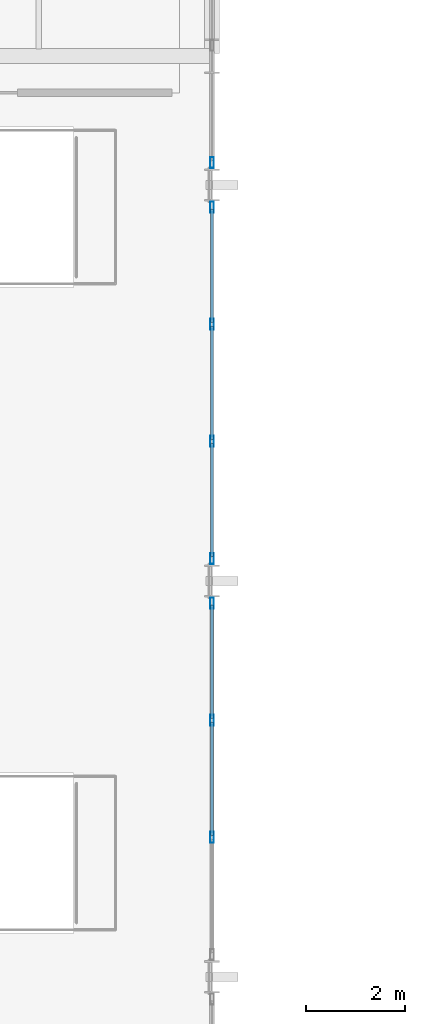
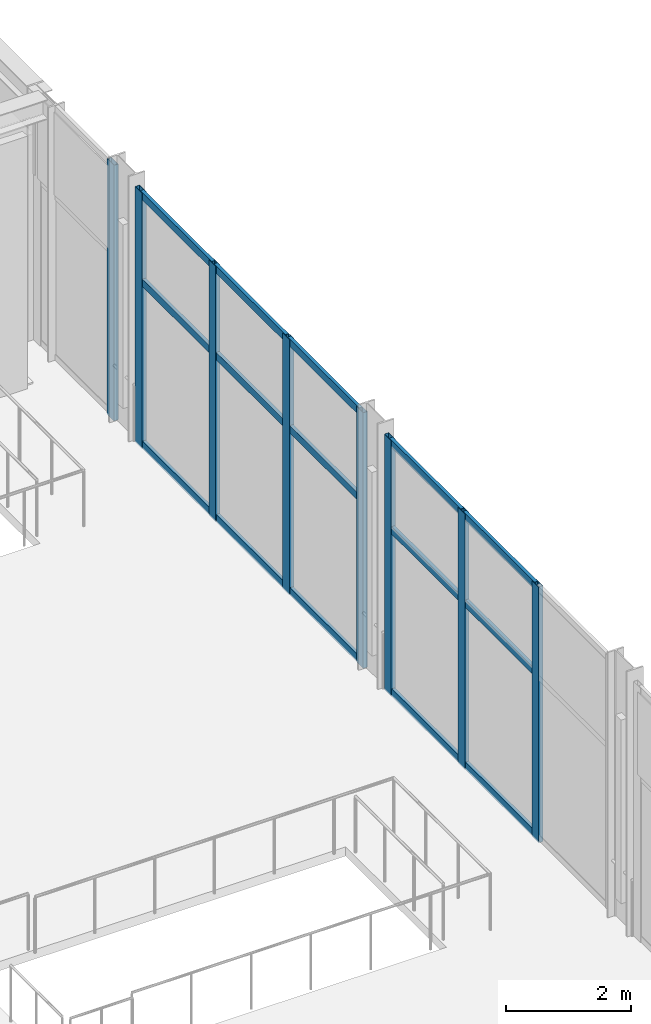
# One storey, part 79 of 195: 23 members, 3 elements without a shape of their own.
"""IFC4 building model written with IfcOpenShell, lengths in metres."""

from ifc_helpers import new_model, si_unit, direction, frame, origin, origin_2d, place, context, subcontext, project, spatial, hollow_rectangle, extrude, material, layer, layer_set, material_profile, profile_set, type_object, element, aggregate, save


model = new_model("IFC4")

# Units and contexts
model_context = context("Model", 3, precision=1e-05, world=origin(), true_north=direction((0.0, 1.0)))
body_context = subcontext(model_context, "Body", "Model", "MODEL_VIEW")
ifc_project = project(units=[si_unit("LENGTHUNIT", "METRE"), si_unit("AREAUNIT", "SQUARE_METRE"), si_unit("VOLUMEUNIT", "CUBIC_METRE"), si_unit("PLANEANGLEUNIT", "RADIAN"), si_unit("MASSUNIT", "GRAM", prefix="KILO")], contexts=[model_context])

# Site, building, storey
site_placement = place(None, origin())
site = spatial("IfcSite", under=ifc_project, at=site_placement, CompositionType="ELEMENT")
building_placement = place(site_placement, origin())
building = spatial("IfcBuilding", under=site, at=building_placement, Name="Marlcrest Central Station", CompositionType="ELEMENT")
storey_placement = place(building_placement, frame((0.0, 0.0, 9.800048828125)))
storey = spatial("IfcBuildingStorey", under=building, at=storey_placement, Name="L02", CompositionType="ELEMENT", Elevation=9.800048828125)

# Curtain wall, members
ifc_material_1 = material(Name="Anodised aluminium and hurricane laminated glass", Category="aluminium")
ifc_layer = layer(ifc_material_1, 0.219970703125, Name="CW-U1")
ifc_layer_set = layer_set([ifc_layer], Name="Anodised aluminium and hurricane laminated glass")
curtain_wall_type = type_object("IfcCurtainWallType", Name="CW-U1", PredefinedType="USERDEFINED", material=ifc_layer_set)
curtain_wall_1_placement = place(storey_placement, origin())
curtain_wall_1 = element("IfcCurtainWall", 1, at=curtain_wall_1_placement, inside=storey, type_object=curtain_wall_type, Name="cw-L02-0128", ObjectType="UNITISED_CURTAIN_WALL", PredefinedType="USERDEFINED")
ifc_material_2 = material(Name="Anodised aluminium 6063-T6", Category="aluminium")
ifc_material_profile_1 = material_profile(ifc_material_2, hollow_rectangle(XDim=0.080078125, YDim=0.219970703125, WallThickness=0.006103515625, at=origin_2d()), Name="AA-RHS 220x80x6")
ifc_profile_set_1 = profile_set([ifc_material_profile_1], Name="Anodised aluminium 6063-T6")
member_type_1 = type_object("IfcMemberType", Name="ML-01", PredefinedType="MULLION", material=ifc_profile_set_1)
member_1_placement = place(storey_placement, frame((129.0, 86.050048828125, -0.030029296875), z_axis=(0.0, 0.0, 1.0), x_axis=(1.0, 0.0, 0.0)))
member_1 = element("IfcMember", 2, at=member_1_placement, type_object=member_type_1, Name="cw-L02-0128-ml-0", PredefinedType="MULLION", context=body_context, shape_type="SweptSolid", body=[
    extrude(hollow_rectangle(XDim=0.080078125, YDim=0.219970703125, WallThickness=0.006103515625, at=origin_2d()), origin(), (0.0, 0.0, 1.0), 5.010009765625),
])
member_2_placement = place(storey_placement, frame((129.0, 83.683349609375, -0.030029296875), z_axis=(0.0, 0.0, 1.0), x_axis=(1.0, 0.0, 0.0)))
member_2 = element("IfcMember", 3, at=member_2_placement, type_object=member_type_1, Name="cw-L02-0128-ml-1", PredefinedType="MULLION", context=body_context, shape_type="SweptSolid", body=[
    extrude(hollow_rectangle(XDim=0.080078125, YDim=0.219970703125, WallThickness=0.006103515625, at=origin_2d()), origin(), (0.0, 0.0, 1.0), 5.010009765625),
])
member_3_placement = place(storey_placement, frame((129.0, 81.316650390625, -0.030029296875), z_axis=(0.0, 0.0, 1.0), x_axis=(1.0, 0.0, 0.0)))
member_3 = element("IfcMember", 4, at=member_3_placement, type_object=member_type_1, Name="cw-L02-0128-ml-2", PredefinedType="MULLION", context=body_context, shape_type="SweptSolid", body=[
    extrude(hollow_rectangle(XDim=0.080078125, YDim=0.219970703125, WallThickness=0.006103515625, at=origin_2d()), origin(), (0.0, 0.0, 1.0), 5.010009765625),
])

curtain_wall_2_placement = place(storey_placement, origin())
curtain_wall_2 = element("IfcCurtainWall", 5, at=curtain_wall_2_placement, inside=storey, type_object=curtain_wall_type, Name="cw-L02-0132", ObjectType="UNITISED_CURTAIN_WALL", PredefinedType="USERDEFINED")
member_4_placement = place(storey_placement, frame((129.0, 94.050048828125, -0.030029296875), z_axis=(0.0, 0.0, 1.0), x_axis=(1.0, 0.0, 0.0)))
member_4 = element("IfcMember", 6, at=member_4_placement, type_object=member_type_1, Name="cw-L02-0132-ml-0", PredefinedType="MULLION", context=body_context, shape_type="SweptSolid", body=[
    extrude(hollow_rectangle(XDim=0.080078125, YDim=0.219970703125, WallThickness=0.006103515625, at=origin_2d()), origin(), (0.0, 0.0, 1.0), 5.010009765625),
])
member_5_placement = place(storey_placement, frame((129.0, 91.683349609375, -0.030029296875), z_axis=(0.0, 0.0, 1.0), x_axis=(1.0, 0.0, 0.0)))
member_5 = element("IfcMember", 7, at=member_5_placement, type_object=member_type_1, Name="cw-L02-0132-ml-1", PredefinedType="MULLION", context=body_context, shape_type="SweptSolid", body=[
    extrude(hollow_rectangle(XDim=0.080078125, YDim=0.219970703125, WallThickness=0.006103515625, at=origin_2d()), origin(), (0.0, 0.0, 1.0), 5.010009765625),
])
member_6_placement = place(storey_placement, frame((129.0, 89.316650390625, -0.030029296875), z_axis=(0.0, 0.0, 1.0), x_axis=(1.0, 0.0, 0.0)))
member_6 = element("IfcMember", 8, at=member_6_placement, type_object=member_type_1, Name="cw-L02-0132-ml-2", PredefinedType="MULLION", context=body_context, shape_type="SweptSolid", body=[
    extrude(hollow_rectangle(XDim=0.080078125, YDim=0.219970703125, WallThickness=0.006103515625, at=origin_2d()), origin(), (0.0, 0.0, 1.0), 5.010009765625),
])
member_7_placement = place(storey_placement, frame((129.0, 86.949951171875, -0.030029296875), z_axis=(0.0, 0.0, 1.0), x_axis=(1.0, 0.0, 0.0)))
member_7 = element("IfcMember", 9, at=member_7_placement, type_object=member_type_1, Name="cw-L02-0132-ml-3", PredefinedType="MULLION", context=body_context, shape_type="SweptSolid", body=[
    extrude(hollow_rectangle(XDim=0.080078125, YDim=0.219970703125, WallThickness=0.006103515625, at=origin_2d()), origin(), (0.0, 0.0, 1.0), 5.010009765625),
])

# Curtain wall, member
curtain_wall_3_placement = place(storey_placement, origin())
curtain_wall_3 = element("IfcCurtainWall", 10, at=curtain_wall_3_placement, inside=storey, type_object=curtain_wall_type, Name="cw-L02-0136", ObjectType="UNITISED_CURTAIN_WALL", PredefinedType="USERDEFINED")
member_8_placement = place(storey_placement, frame((129.0, 94.949951171875, -0.030029296875), z_axis=(0.0, 0.0, 1.0), x_axis=(1.0, 0.0, 0.0)))
member_8 = element("IfcMember", 11, at=member_8_placement, type_object=member_type_1, Name="cw-L02-0136-ml-3", PredefinedType="MULLION", context=body_context, shape_type="SweptSolid", body=[
    extrude(hollow_rectangle(XDim=0.080078125, YDim=0.219970703125, WallThickness=0.006103515625, at=origin_2d()), origin(), (0.0, 0.0, 1.0), 5.010009765625),
])
aggregate(curtain_wall_3, [member_8])

# Member
ifc_material_profile_2 = material_profile(ifc_material_2, hollow_rectangle(XDim=0.06005859375, YDim=0.14990234375, WallThickness=0.00390625, at=origin_2d()), Name="AA-RHS 150x60x4")
ifc_profile_set_2 = profile_set([ifc_material_profile_2], Name="Anodised aluminium 6063-T6")
member_type_2 = type_object("IfcMemberType", Name="TR-01", PredefinedType="USERDEFINED", material=ifc_profile_set_2)
member_9_placement = place(storey_placement, frame((129.0, 86.011962890625, 0.0400390625), z_axis=(0.0, -1.0, 0.0), x_axis=(1.0, 0.0, 0.0)))
member_9 = element("IfcMember", 12, at=member_9_placement, type_object=member_type_2, Name="cw-L02-0128-tr-0-sill", ObjectType="TRANSOM", PredefinedType="USERDEFINED", context=body_context, shape_type="SweptSolid", body=[
    extrude(hollow_rectangle(XDim=0.06005859375, YDim=0.14990234375, WallThickness=0.00390625, at=origin_2d()), origin(), (0.0, 0.0, 1.0), 2.290771484375),
])

member_10_placement = place(storey_placement, frame((129.0, 86.011962890625, 3.218017578125), z_axis=(0.0, -1.0, 0.0), x_axis=(1.0, 0.0, 0.0)))
member_10 = element("IfcMember", 13, at=member_10_placement, type_object=member_type_2, Name="cw-L02-0128-tr-0-mid", ObjectType="TRANSOM", PredefinedType="USERDEFINED", context=body_context, shape_type="SweptSolid", body=[
    extrude(hollow_rectangle(XDim=0.06005859375, YDim=0.14990234375, WallThickness=0.00390625, at=origin_2d()), origin(), (0.0, 0.0, 1.0), 2.290771484375),
])

member_11_placement = place(storey_placement, frame((129.0, 86.011962890625, 4.909912109375), z_axis=(0.0, -1.0, 0.0), x_axis=(1.0, 0.0, 0.0)))
member_11 = element("IfcMember", 14, at=member_11_placement, type_object=member_type_2, Name="cw-L02-0128-tr-0-head", ObjectType="TRANSOM", PredefinedType="USERDEFINED", context=body_context, shape_type="SweptSolid", body=[
    extrude(hollow_rectangle(XDim=0.06005859375, YDim=0.14990234375, WallThickness=0.00390625, at=origin_2d()), origin(), (0.0, 0.0, 1.0), 2.290771484375),
])

member_12_placement = place(storey_placement, frame((129.0, 83.645263671875, 0.0400390625), z_axis=(0.0, -1.0, 0.0), x_axis=(1.0, 0.0, 0.0)))
member_12 = element("IfcMember", 15, at=member_12_placement, type_object=member_type_2, Name="cw-L02-0128-tr-1-sill", ObjectType="TRANSOM", PredefinedType="USERDEFINED", context=body_context, shape_type="SweptSolid", body=[
    extrude(hollow_rectangle(XDim=0.06005859375, YDim=0.14990234375, WallThickness=0.00390625, at=origin_2d()), origin(), (0.0, 0.0, 1.0), 2.29052734375),
])

member_13_placement = place(storey_placement, frame((129.0, 83.645263671875, 3.218017578125), z_axis=(0.0, -1.0, 0.0), x_axis=(1.0, 0.0, 0.0)))
member_13 = element("IfcMember", 16, at=member_13_placement, type_object=member_type_2, Name="cw-L02-0128-tr-1-mid", ObjectType="TRANSOM", PredefinedType="USERDEFINED", context=body_context, shape_type="SweptSolid", body=[
    extrude(hollow_rectangle(XDim=0.06005859375, YDim=0.14990234375, WallThickness=0.00390625, at=origin_2d()), origin(), (0.0, 0.0, 1.0), 2.29052734375),
])

member_14_placement = place(storey_placement, frame((129.0, 83.645263671875, 4.909912109375), z_axis=(0.0, -1.0, 0.0), x_axis=(1.0, 0.0, 0.0)))
member_14 = element("IfcMember", 17, at=member_14_placement, type_object=member_type_2, Name="cw-L02-0128-tr-1-head", ObjectType="TRANSOM", PredefinedType="USERDEFINED", context=body_context, shape_type="SweptSolid", body=[
    extrude(hollow_rectangle(XDim=0.06005859375, YDim=0.14990234375, WallThickness=0.00390625, at=origin_2d()), origin(), (0.0, 0.0, 1.0), 2.29052734375),
])

aggregate(curtain_wall_1, [member_1, member_2, member_3, member_9, member_10, member_11, member_12, member_13, member_14])

member_15_placement = place(storey_placement, frame((129.0, 94.011962890625, 0.0400390625), z_axis=(0.0, -1.0, 0.0), x_axis=(1.0, 0.0, 0.0)))
member_15 = element("IfcMember", 18, at=member_15_placement, type_object=member_type_2, Name="cw-L02-0132-tr-0-sill", ObjectType="TRANSOM", PredefinedType="USERDEFINED", context=body_context, shape_type="SweptSolid", body=[
    extrude(hollow_rectangle(XDim=0.06005859375, YDim=0.14990234375, WallThickness=0.00390625, at=origin_2d()), origin(), (0.0, 0.0, 1.0), 2.290771484375),
])

member_16_placement = place(storey_placement, frame((129.0, 94.011962890625, 3.218017578125), z_axis=(0.0, -1.0, 0.0), x_axis=(1.0, 0.0, 0.0)))
member_16 = element("IfcMember", 19, at=member_16_placement, type_object=member_type_2, Name="cw-L02-0132-tr-0-mid", ObjectType="TRANSOM", PredefinedType="USERDEFINED", context=body_context, shape_type="SweptSolid", body=[
    extrude(hollow_rectangle(XDim=0.06005859375, YDim=0.14990234375, WallThickness=0.00390625, at=origin_2d()), origin(), (0.0, 0.0, 1.0), 2.290771484375),
])

member_17_placement = place(storey_placement, frame((129.0, 94.011962890625, 4.909912109375), z_axis=(0.0, -1.0, 0.0), x_axis=(1.0, 0.0, 0.0)))
member_17 = element("IfcMember", 20, at=member_17_placement, type_object=member_type_2, Name="cw-L02-0132-tr-0-head", ObjectType="TRANSOM", PredefinedType="USERDEFINED", context=body_context, shape_type="SweptSolid", body=[
    extrude(hollow_rectangle(XDim=0.06005859375, YDim=0.14990234375, WallThickness=0.00390625, at=origin_2d()), origin(), (0.0, 0.0, 1.0), 2.290771484375),
])

member_18_placement = place(storey_placement, frame((129.0, 91.645263671875, 0.0400390625), z_axis=(0.0, -1.0, 0.0), x_axis=(1.0, 0.0, 0.0)))
member_18 = element("IfcMember", 21, at=member_18_placement, type_object=member_type_2, Name="cw-L02-0132-tr-1-sill", ObjectType="TRANSOM", PredefinedType="USERDEFINED", context=body_context, shape_type="SweptSolid", body=[
    extrude(hollow_rectangle(XDim=0.06005859375, YDim=0.14990234375, WallThickness=0.00390625, at=origin_2d()), origin(), (0.0, 0.0, 1.0), 2.29052734375),
])

member_19_placement = place(storey_placement, frame((129.0, 91.645263671875, 3.218017578125), z_axis=(0.0, -1.0, 0.0), x_axis=(1.0, 0.0, 0.0)))
member_19 = element("IfcMember", 22, at=member_19_placement, type_object=member_type_2, Name="cw-L02-0132-tr-1-mid", ObjectType="TRANSOM", PredefinedType="USERDEFINED", context=body_context, shape_type="SweptSolid", body=[
    extrude(hollow_rectangle(XDim=0.06005859375, YDim=0.14990234375, WallThickness=0.00390625, at=origin_2d()), origin(), (0.0, 0.0, 1.0), 2.29052734375),
])

member_20_placement = place(storey_placement, frame((129.0, 91.645263671875, 4.909912109375), z_axis=(0.0, -1.0, 0.0), x_axis=(1.0, 0.0, 0.0)))
member_20 = element("IfcMember", 23, at=member_20_placement, type_object=member_type_2, Name="cw-L02-0132-tr-1-head", ObjectType="TRANSOM", PredefinedType="USERDEFINED", context=body_context, shape_type="SweptSolid", body=[
    extrude(hollow_rectangle(XDim=0.06005859375, YDim=0.14990234375, WallThickness=0.00390625, at=origin_2d()), origin(), (0.0, 0.0, 1.0), 2.29052734375),
])

member_21_placement = place(storey_placement, frame((129.0, 89.27880859375, 0.0400390625), z_axis=(0.0, -1.0, 0.0), x_axis=(1.0, 0.0, 0.0)))
member_21 = element("IfcMember", 24, at=member_21_placement, type_object=member_type_2, Name="cw-L02-0132-tr-2-sill", ObjectType="TRANSOM", PredefinedType="USERDEFINED", context=body_context, shape_type="SweptSolid", body=[
    extrude(hollow_rectangle(XDim=0.06005859375, YDim=0.14990234375, WallThickness=0.00390625, at=origin_2d()), origin(), (0.0, 0.0, 1.0), 2.290771484375),
])

member_22_placement = place(storey_placement, frame((129.0, 89.27880859375, 3.218017578125), z_axis=(0.0, -1.0, 0.0), x_axis=(1.0, 0.0, 0.0)))
member_22 = element("IfcMember", 25, at=member_22_placement, type_object=member_type_2, Name="cw-L02-0132-tr-2-mid", ObjectType="TRANSOM", PredefinedType="USERDEFINED", context=body_context, shape_type="SweptSolid", body=[
    extrude(hollow_rectangle(XDim=0.06005859375, YDim=0.14990234375, WallThickness=0.00390625, at=origin_2d()), origin(), (0.0, 0.0, 1.0), 2.290771484375),
])

member_23_placement = place(storey_placement, frame((129.0, 89.27880859375, 4.909912109375), z_axis=(0.0, -1.0, 0.0), x_axis=(1.0, 0.0, 0.0)))
member_23 = element("IfcMember", 26, at=member_23_placement, type_object=member_type_2, Name="cw-L02-0132-tr-2-head", ObjectType="TRANSOM", PredefinedType="USERDEFINED", context=body_context, shape_type="SweptSolid", body=[
    extrude(hollow_rectangle(XDim=0.06005859375, YDim=0.14990234375, WallThickness=0.00390625, at=origin_2d()), origin(), (0.0, 0.0, 1.0), 2.290771484375),
])

aggregate(curtain_wall_2, [member_4, member_5, member_6, member_7, member_15, member_16, member_17, member_18, member_19, member_20, member_21, member_22, member_23])

save(model, "model.ifc")
